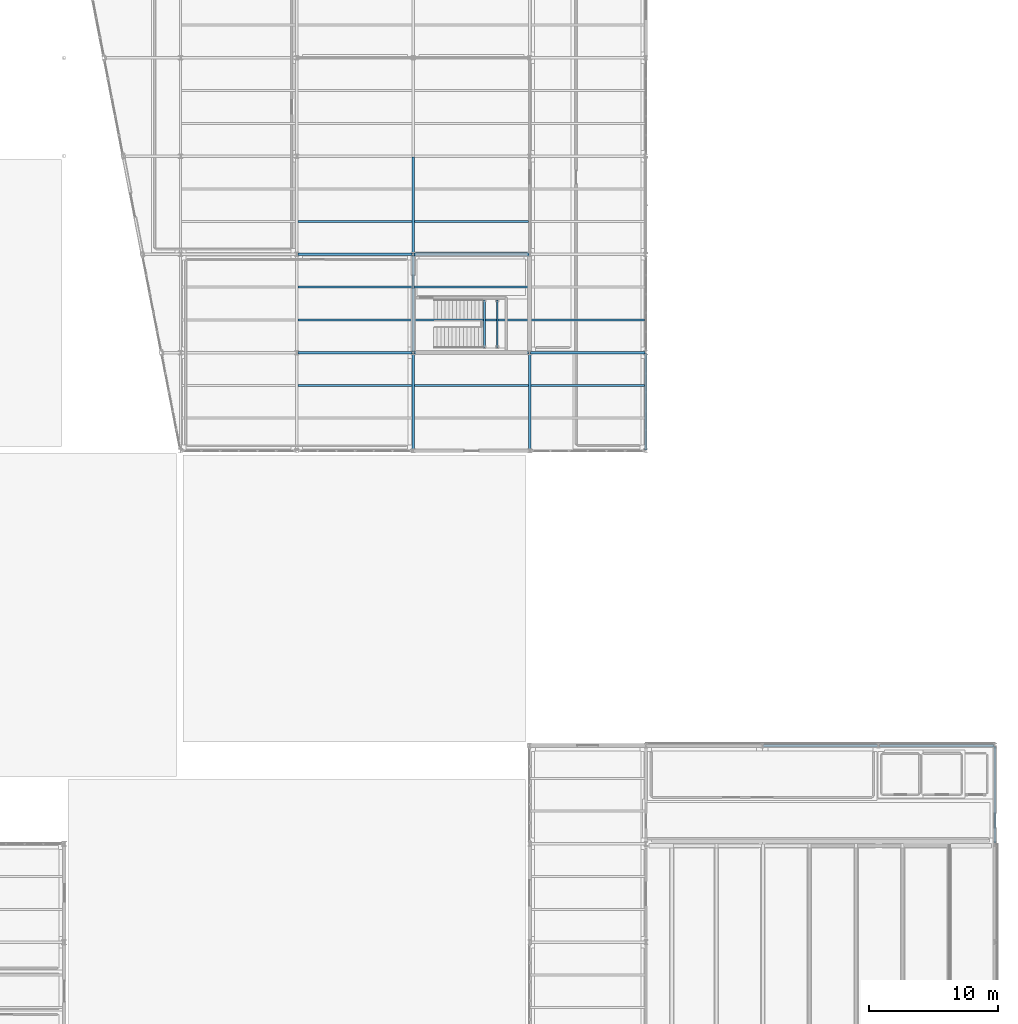
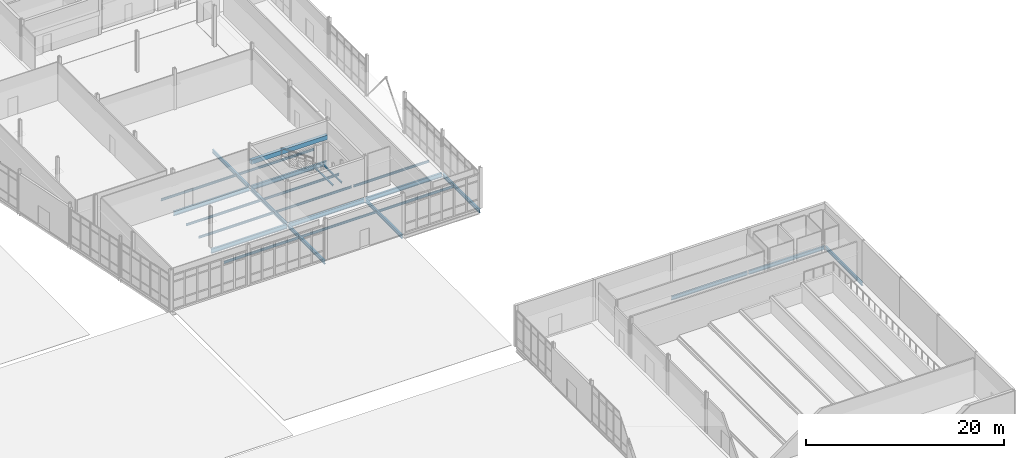
# One storey, part 110 of 161: 26 beams.
"""IFC4 building model written with IfcOpenShell, lengths in metres."""

from ifc_helpers import new_model, si_unit, direction, frame, origin, origin_2d, place, context, subcontext, project, spatial, rectangle, i_section, extrude, material, material_profile, profile_set, type_object, element, save


model = new_model("IFC4")

# Units and contexts
model_context = context("Model", 3, precision=1e-05, world=origin(), true_north=direction((0.0, 1.0)))
body_context = subcontext(model_context, "Body", "Model", "MODEL_VIEW")
ifc_project = project(units=[si_unit("LENGTHUNIT", "METRE"), si_unit("AREAUNIT", "SQUARE_METRE"), si_unit("VOLUMEUNIT", "CUBIC_METRE"), si_unit("PLANEANGLEUNIT", "RADIAN"), si_unit("MASSUNIT", "GRAM", prefix="KILO")], contexts=[model_context])

# Site, building, storey
site_placement = place(None, origin())
site = spatial("IfcSite", under=ifc_project, at=site_placement, CompositionType="ELEMENT")
building_placement = place(site_placement, origin())
building = spatial("IfcBuilding", under=site, at=building_placement, Name="Caisbarro Railhouse Central Library", CompositionType="ELEMENT")
storey_placement = place(building_placement, origin())
storey = spatial("IfcBuildingStorey", under=building, at=storey_placement, Name="L00", CompositionType="ELEMENT", Elevation=0.0)

# Beams
ifc_material_1 = material(Name="Steel ASTM A572 Grade 50", Category="steel")
ifc_material_profile_1 = material_profile(ifc_material_1, i_section(OverallWidth=0.208984375, OverallDepth=0.532958984375, WebThickness=0.01025390625, FlangeThickness=0.015625, FilletRadius=0.02001953125, at=origin_2d()), Name="W530X92.0")
ifc_profile_set_1 = profile_set([ifc_material_profile_1], Name="Steel ASTM A572 Grade 50")
beam_type_1 = type_object("IfcBeamType", Name="BM-G06", PredefinedType="BEAM", material=ifc_profile_set_1)
for number, where, z_axis, x_axis, name in (
    (1, (126.080078125, 68.39990234375, -0.5166015625), (1.0, 0.0, 0.0), (0.0, 1.0, 0.0), "G06 beam L00 #495"),
    (2, (135.080078125, 68.39990234375, -0.5166015625), (1.0, 0.0, 0.0), (0.0, 1.0, 0.0), "G06 beam L00 #496"),
    (3, (144.080078125, 68.39990234375, -0.5166015625), (1.0, 0.0, 0.0), (0.0, 1.0, 0.0), "G06 beam L00 #497"),
    (4, (126.080078125, 76.0, -0.5166015625), (1.0, 0.0, 0.0), (0.0, 1.0, 0.0), "G06 beam L00 #499"),
    (5, (135.080078125, 76.0, -0.5166015625), (1.0, 0.0, 0.0), (0.0, 1.0, 0.0), "G06 beam L00 #500"),
):
    element("IfcBeam", number, at=place(storey_placement, frame(where, z_axis=z_axis, x_axis=x_axis)), inside=storey, type_object=beam_type_1, Name=name, PredefinedType="BEAM", context=body_context, shape_type="SweptSolid", body=[
        extrude(i_section(OverallWidth=0.208984375, OverallDepth=0.532958984375, WebThickness=0.01025390625, FlangeThickness=0.015625, FilletRadius=0.02001953125, at=origin_2d()), origin(), (0.0, 0.0, 1.0), 8.83984375),
    ])
ifc_material_profile_2 = material_profile(ifc_material_1, i_section(OverallWidth=0.18994140625, OverallDepth=0.45703125, WebThickness=0.009033203125, FlangeThickness=0.014404296875, FilletRadius=0.01806640625, at=origin_2d()), Name="W460X74.0")
ifc_profile_set_2 = profile_set([ifc_material_profile_2], Name="Steel ASTM A572 Grade 50")
beam_type_2 = type_object("IfcBeamType", Name="BM-G08", PredefinedType="BEAM", material=ifc_profile_set_2)
beam_1_placement = place(storey_placement, frame((135.0, 60.8798828125, -0.478515625), z_axis=(0.0, 1.0, 0.0), x_axis=(-1.0, 0.0, 0.0)))
element("IfcBeam", 6, at=beam_1_placement, inside=storey, type_object=beam_type_2, Name="G08 beam L00 #536", PredefinedType="BEAM", context=body_context, shape_type="SweptSolid", body=[
    extrude(i_section(OverallWidth=0.18994140625, OverallDepth=0.45703125, WebThickness=0.009033203125, FlangeThickness=0.014404296875, FilletRadius=0.01806640625, at=origin_2d()), origin(), (0.0, 0.0, 1.0), 7.440185546875),
])
for number, where, z_axis, x_axis, name in (
    (7, (135.0, 68.47998046875, -0.478515625), (0.0, 1.0, 0.0), (-1.0, 0.0, 0.0), "G08 beam L00 #537"),
    (8, (135.0, 76.080078125, -0.478515625), (0.0, 1.0, 0.0), (-1.0, 0.0, 0.0), "G08 beam L00 #538"),
):
    element("IfcBeam", number, at=place(storey_placement, frame(where, z_axis=z_axis, x_axis=x_axis)), inside=storey, type_object=beam_type_2, Name=name, PredefinedType="BEAM", context=body_context, shape_type="SweptSolid", body=[
        extrude(i_section(OverallWidth=0.18994140625, OverallDepth=0.45703125, WebThickness=0.009033203125, FlangeThickness=0.014404296875, FilletRadius=0.01806640625, at=origin_2d()), origin(), (0.0, 0.0, 1.0), 7.43994140625),
    ])
for number, where, z_axis, x_axis, name in (
    (9, (144.0, 60.8798828125, -0.478515625), (0.0, 1.0, 0.0), (-1.0, 0.0, 0.0), "G08 beam L00 #543"),
    (10, (153.0, 60.8798828125, -0.478515625), (0.0, 1.0, 0.0), (-1.0, 0.0, 0.0), "G08 beam L00 #550"),
):
    element("IfcBeam", number, at=place(storey_placement, frame(where, z_axis=z_axis, x_axis=x_axis)), inside=storey, type_object=beam_type_2, Name=name, PredefinedType="BEAM", context=body_context, shape_type="SweptSolid", body=[
        extrude(i_section(OverallWidth=0.18994140625, OverallDepth=0.45703125, WebThickness=0.009033203125, FlangeThickness=0.014404296875, FilletRadius=0.01806640625, at=origin_2d()), origin(), (0.0, 0.0, 1.0), 7.440185546875),
    ])
ifc_material_profile_3 = material_profile(ifc_material_1, i_section(OverallWidth=0.180908203125, OverallDepth=0.4169921875, WebThickness=0.010986328125, FlangeThickness=0.018310546875, FilletRadius=0.01611328125, at=origin_2d()), Name="W410X85.0")
ifc_profile_set_3 = profile_set([ifc_material_profile_3], Name="Steel ASTM A572 Grade 50")
beam_type_3 = type_object("IfcBeamType", Name="BM-G09", PredefinedType="BEAM", material=ifc_profile_set_3)
beam_2_placement = place(storey_placement, frame((180.0, 30.47998046875, -0.45849609375), z_axis=(0.0, 1.0, 0.0), x_axis=(-1.0, 0.0, 0.0)))
element("IfcBeam", 11, at=beam_2_placement, inside=storey, type_object=beam_type_3, Name="G09 beam L00 #479", PredefinedType="BEAM", context=body_context, shape_type="SweptSolid", body=[
    extrude(i_section(OverallWidth=0.180908203125, OverallDepth=0.4169921875, WebThickness=0.010986328125, FlangeThickness=0.018310546875, FilletRadius=0.01611328125, at=origin_2d()), origin(), (0.0, 0.0, 1.0), 7.43994140625),
])
ifc_material_profile_4 = material_profile(ifc_material_1, i_section(OverallWidth=0.14794921875, OverallDepth=0.26611328125, WebThickness=0.007568359375, FlangeThickness=0.012939453125, FilletRadius=0.010009765625, at=origin_2d()), Name="W250X44.8")
ifc_profile_set_4 = profile_set([ifc_material_profile_4], Name="Steel ASTM A572 Grade 50")
beam_type_4 = type_object("IfcBeamType", Name="BM-J04", PredefinedType="JOIST", material=ifc_profile_set_4)
for number, where, z_axis, x_axis, name in (
    (12, (126.094970703125, 65.86669921875, -0.383056640625), (1.0, 0.0, 0.0), (0.0, 1.0, 0.0), "J04 beam L00 #572"),
    (13, (126.094970703125, 70.933349609375, -0.383056640625), (1.0, 0.0, 0.0), (0.0, 1.0, 0.0), "J04 beam L00 #573"),
    (14, (126.094970703125, 73.466796875, -0.383056640625), (1.0, 0.0, 0.0), (0.0, 1.0, 0.0), "J04 beam L00 #574"),
    (15, (126.094970703125, 78.533203125, -0.383056640625), (1.0, 0.0, 0.0), (0.0, 1.0, 0.0), "J04 beam L00 #575"),
    (16, (135.094970703125, 65.86669921875, -0.383056640625), (1.0, 0.0, 0.0), (0.0, 1.0, 0.0), "J04 beam L00 #586"),
    (17, (135.094970703125, 70.933349609375, -0.383056640625), (1.0, 0.0, 0.0), (0.0, 1.0, 0.0), "J04 beam L00 #587"),
    (18, (135.094970703125, 73.466796875, -0.383056640625), (1.0, 0.0, 0.0), (0.0, 1.0, 0.0), "J04 beam L00 #588"),
    (19, (135.094970703125, 78.533203125, -0.383056640625), (1.0, 0.0, 0.0), (0.0, 1.0, 0.0), "J04 beam L00 #589"),
    (20, (144.094970703125, 65.86669921875, -0.383056640625), (1.0, 0.0, 0.0), (0.0, 1.0, 0.0), "J04 beam L00 #600"),
    (21, (144.094970703125, 70.933349609375, -0.383056640625), (1.0, 0.0, 0.0), (0.0, 1.0, 0.0), "J04 beam L00 #601"),
):
    element("IfcBeam", number, at=place(storey_placement, frame(where, z_axis=z_axis, x_axis=x_axis)), inside=storey, type_object=beam_type_4, Name=name, PredefinedType="JOIST", context=body_context, shape_type="SweptSolid", body=[
        extrude(i_section(OverallWidth=0.14794921875, OverallDepth=0.26611328125, WebThickness=0.007568359375, FlangeThickness=0.012939453125, FilletRadius=0.010009765625, at=origin_2d()), origin(), (0.0, 0.0, 1.0), 8.81005859375),
    ])
ifc_material_2 = material(Name="Concrete C40", Category="concrete")
ifc_material_profile_5 = material_profile(ifc_material_2, rectangle(XDim=0.35009765625, YDim=0.550048828125, at=origin_2d()), Name="RC-LIN-350X550")
ifc_profile_set_5 = profile_set([ifc_material_profile_5], Name="Concrete C40")
beam_type_5 = type_object("IfcBeamType", Name="BM-LN00", PredefinedType="LINTEL", material=ifc_profile_set_5)
beam_3_placement = place(storey_placement, frame((135.050048828125, 76.0, 2.72509765625), z_axis=(1.0, 0.0, 0.0), x_axis=(0.0, 1.0, 0.0)))
element("IfcBeam", 22, at=beam_3_placement, inside=storey, type_object=beam_type_5, Name="LN00 RC core coupling lintel K7 L00", PredefinedType="LINTEL", context=body_context, shape_type="SweptSolid", body=[
    extrude(rectangle(XDim=0.35009765625, YDim=0.550048828125, at=origin_2d()), origin(), (0.0, 0.0, 1.0), 8.89990234375),
])
ifc_material_profile_6 = material_profile(ifc_material_1, i_section(OverallWidth=0.152099609375, OverallDepth=0.152099609375, WebThickness=0.005859375, FlangeThickness=0.006591796875, FilletRadius=0.008056640625, at=origin_2d()), Name="W150X22.5")
ifc_profile_set_6 = profile_set([ifc_material_profile_6], Name="Steel ASTM A572 Grade 50")
beam_type_6 = type_object("IfcBeamType", Name="BM-SL00", PredefinedType="BEAM", material=ifc_profile_set_6)
for number, where, z_axis, x_axis, name in (
    (23, (140.5, 68.780029296875, 2.25390625), (0.0, 1.0, 0.0), (-1.0, 0.0, 0.0), "SL00 Stair Landing Support Beam K7 L00 W"),
    (24, (141.5, 68.780029296875, 2.25390625), (0.0, 1.0, 0.0), (-1.0, 0.0, 0.0), "SL00 Stair Landing Support Beam K7 L00 E"),
):
    element("IfcBeam", number, at=place(storey_placement, frame(where, z_axis=z_axis, x_axis=x_axis)), inside=storey, type_object=beam_type_6, Name=name, PredefinedType="BEAM", context=body_context, shape_type="SweptSolid", body=[
        extrude(i_section(OverallWidth=0.152099609375, OverallDepth=0.152099609375, WebThickness=0.005859375, FlangeThickness=0.006591796875, FilletRadius=0.008056640625, at=origin_2d()), origin(), (0.0, 0.0, 1.0), 3.68994140625),
    ])
ifc_material_profile_7 = material_profile(ifc_material_1, i_section(OverallWidth=0.18994140625, OverallDepth=0.45703125, WebThickness=0.009033203125, FlangeThickness=0.014404296875, FilletRadius=0.01806640625, at=origin_2d()), Name="W460X74.0")
ifc_profile_set_7 = profile_set([ifc_material_profile_7], Name="Steel ASTM A572 Grade 50")
beam_type_7 = type_object("IfcBeamType", Name="BM-SP01", PredefinedType="SPANDREL", material=ifc_profile_set_7)
for number, where, z_axis, x_axis, name in (
    (25, (162.080078125, 38.0, -0.478515625), (1.0, 0.0, 0.0), (0.0, 1.0, 0.0), "SP01 beam L00 #463"),
    (26, (171.080078125, 38.0, -0.478515625), (1.0, 0.0, 0.0), (0.0, 1.0, 0.0), "SP01 beam L00 #464"),
):
    element("IfcBeam", number, at=place(storey_placement, frame(where, z_axis=z_axis, x_axis=x_axis)), inside=storey, type_object=beam_type_7, Name=name, PredefinedType="SPANDREL", context=body_context, shape_type="SweptSolid", body=[
        extrude(i_section(OverallWidth=0.18994140625, OverallDepth=0.45703125, WebThickness=0.009033203125, FlangeThickness=0.014404296875, FilletRadius=0.01806640625, at=origin_2d()), origin(), (0.0, 0.0, 1.0), 8.83984375),
    ])

save(model, "model.ifc")
